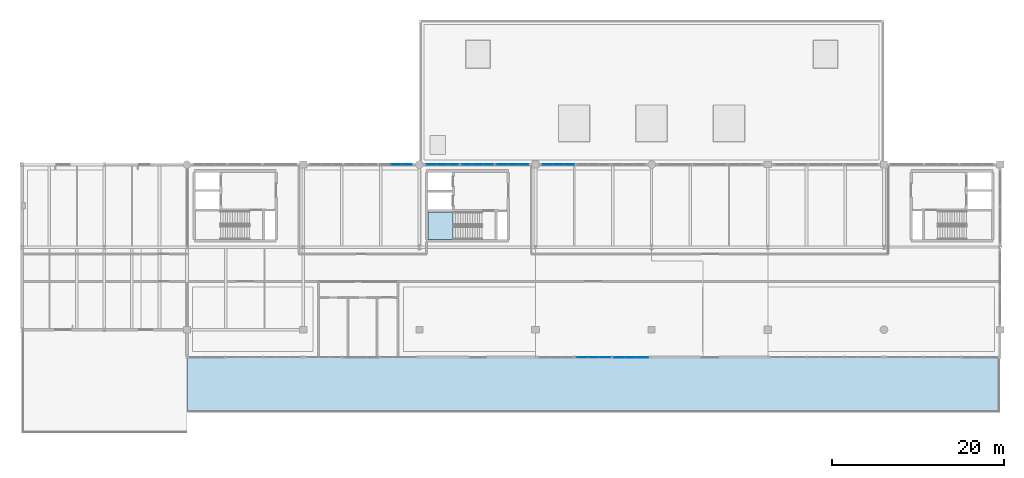
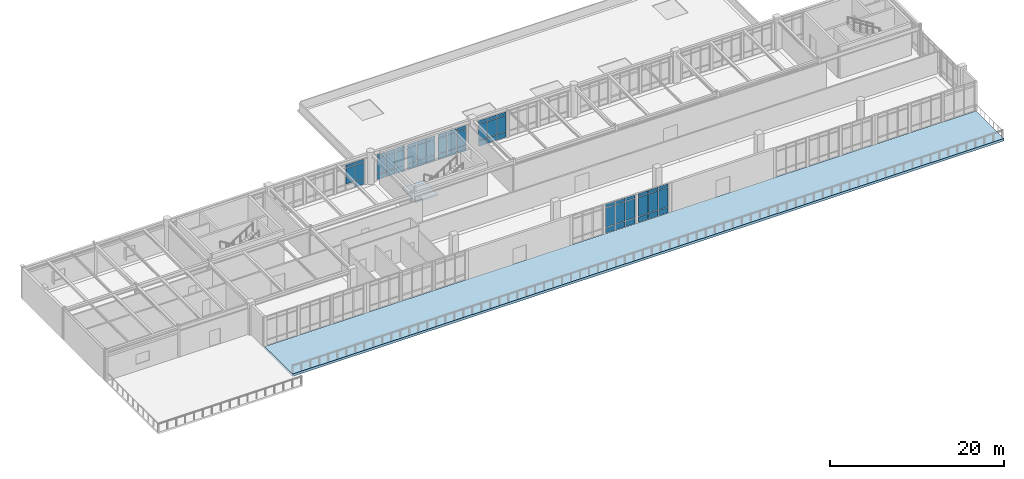
# One storey, part 42 of 55: 59 plates, 2 slabs, 8 elements without a shape of their own.
"""IFC4 building model written with IfcOpenShell, lengths in metres."""

import ifcopenshell
import ifcopenshell.guid

model = None  # the IFC model being written
_history = None  # IfcOwnerHistory: only IFC2X3 demands one
_inside = {}  # id of a spatial element -> (the spatial element, [elements in it])
_under = {}  # id of a project, library or spatial element -> (it, [spatial elements below it])
_declared = {}  # id of a project -> (the project, [libraries it declares])
_typed = {}  # id of a type object -> (the type object, [elements of that type])
_made_of = {}  # id of a material, layer set ... -> (it, [elements and type objects made of it])


def new_model(schema):
    """Start an empty IFC model of exactly this schema.

    Asked for "IFC4X3", IfcOpenShell would pick the latest addendum, in which some entities
    have other attributes; the version numbers below select the first issue.
    IFC2X3 requires an IfcOwnerHistory on every rooted entity: one is made here for all.
    """
    global model, _history
    if schema == "IFC4X3":
        model = ifcopenshell.file(schema_version=(4, 3, 0, 0))
    else:
        model = ifcopenshell.file(schema=schema)
    _inside.clear()
    _under.clear()
    _declared.clear()
    _typed.clear()
    _made_of.clear()
    _history = None
    if model.schema == "IFC2X3":
        org = make("IfcOrganization", Name="unknown")
        user = make(
            "IfcPersonAndOrganization",
            ThePerson=make("IfcPerson", FamilyName="unknown"),
            TheOrganization=org,
        )
        app = make(
            "IfcApplication",
            ApplicationDeveloper=org,
            Version="unknown",
            ApplicationFullName="unknown",
            ApplicationIdentifier="unknown",
        )
        _history = make(
            "IfcOwnerHistory",
            OwningUser=user,
            OwningApplication=app,
            ChangeAction="ADDED",
            CreationDate=0,
        )
    return model


def make(cls, **values):
    """One entity of the class cls with the attributes given. An attribute that is None is left unset."""
    return model.create_entity(
        cls, **{name: value for name, value in values.items() if value is not None}
    )


def rooted(cls, **values):
    """An entity with a GlobalId (a new one), such as an element, a storey or a relation."""
    return make(cls, GlobalId=ifcopenshell.guid.new(), OwnerHistory=_history, **values)


def si_unit(unit_type, name, prefix=None):
    """IfcSIUnit, for example si_unit("LENGTHUNIT", "METRE", prefix="MILLI")."""
    return make("IfcSIUnit", UnitType=unit_type, Prefix=prefix, Name=name)


def assignment(units):
    """IfcUnitAssignment: the units of a project."""
    return None if units is None else make("IfcUnitAssignment", Units=units)


def point(xyz):
    """IfcCartesianPoint."""
    return None if xyz is None else make("IfcCartesianPoint", Coordinates=xyz)


def direction(xyz):
    """IfcDirection."""
    return None if xyz is None else make("IfcDirection", DirectionRatios=xyz)


def frame(location, z_axis=None, x_axis=None):
    """IfcAxis2Placement3D, a coordinate frame: its origin and axes. An axis left out is left unset."""
    return make(
        "IfcAxis2Placement3D",
        Location=point(location),
        Axis=direction(z_axis),
        RefDirection=direction(x_axis),
    )


def frame_2d(location, x_axis=None):
    """IfcAxis2Placement2D, a coordinate frame in the plane: its origin and x axis."""
    return make(
        "IfcAxis2Placement2D", Location=point(location), RefDirection=direction(x_axis)
    )


def origin():
    """The frame at (0, 0, 0) with its axes left unset."""
    return frame((0.0, 0.0, 0.0))


def origin_2d():
    """The frame at (0, 0) in the plane with its x axis left unset."""
    return frame_2d((0.0, 0.0))


def place(relative_to, where):
    """IfcLocalPlacement: puts the frame where relative to a parent placement (None: the world)."""
    return make(
        "IfcLocalPlacement", PlacementRelTo=relative_to, RelativePlacement=where
    )


def context(
    kind, dimensions, precision=None, world=None, true_north=None, identifier=None
):
    """IfcGeometricRepresentationContext, for example the 3D "Model" context."""
    return make(
        "IfcGeometricRepresentationContext",
        ContextIdentifier=identifier,
        ContextType=kind,
        CoordinateSpaceDimension=dimensions,
        Precision=precision,
        WorldCoordinateSystem=world,
        TrueNorth=true_north,
    )


def subcontext(parent, identifier, kind, view, scale=None):
    """IfcGeometricRepresentationSubContext, for example "Body" below "Model"."""
    return make(
        "IfcGeometricRepresentationSubContext",
        ContextIdentifier=identifier,
        ContextType=kind,
        ParentContext=parent,
        TargetScale=scale,
        TargetView=view,
    )


def project(units=None, contexts=None):
    """IfcProject with its units and contexts."""
    return rooted(
        "IfcProject",
        Name="project",
        RepresentationContexts=contexts,
        UnitsInContext=assignment(units),
    )


def spatial(cls, under=None, at=None, **own):
    """A site, building, storey or space (cls), placed at a placement, below another one or the project."""
    s = rooted(cls, ObjectPlacement=at, **own)
    if under is not None:
        _under.setdefault(under.id(), (under, []))[1].append(s)
    return s


def polyline(points):
    """IfcPolyline through the points."""
    return make("IfcPolyline", Points=[point(p) for p in points])


def profile(cls, at=None, kind="AREA", **sizes):
    """A parametric profile (cls). Its sizes go by their IFC names, for example OverallWidth=200.0."""
    return make(cls, ProfileType=kind, Position=at, **sizes)


def rectangle(**sizes):
    """IfcRectangleProfileDef."""
    return profile("IfcRectangleProfileDef", **sizes)


def outline(outer, holes=None, kind="AREA"):
    """IfcArbitraryClosedProfileDef: a profile drawn as a closed curve; with holes, ...WithVoids."""
    if holes is None:
        return make("IfcArbitraryClosedProfileDef", ProfileType=kind, OuterCurve=outer)
    return make(
        "IfcArbitraryProfileDefWithVoids",
        ProfileType=kind,
        OuterCurve=outer,
        InnerCurves=holes,
    )


def extrude(swept, where, along, depth):
    """IfcExtrudedAreaSolid: the profile swept, set in the frame where, extruded along a direction by depth."""
    return make(
        "IfcExtrudedAreaSolid",
        SweptArea=swept,
        Position=where,
        ExtrudedDirection=direction(along),
        Depth=depth,
    )


def shape(context_of_items, identifier, shape_type, items):
    """IfcShapeRepresentation: the items that make up one representation, for example the "Body"."""
    return make(
        "IfcShapeRepresentation",
        ContextOfItems=context_of_items,
        RepresentationIdentifier=identifier,
        RepresentationType=shape_type,
        Items=items,
    )


def material(Name=None, Category=None):
    """IfcMaterial."""
    return make("IfcMaterial", Name=Name, Category=Category)


def layer(
    of_material, thickness, ventilated=None, Name=None, Category=None, Priority=None
):
    """IfcMaterialLayer: one layer of a wall or slab, of a material (None: an air gap)."""
    return make(
        "IfcMaterialLayer",
        Material=of_material,
        LayerThickness=thickness,
        IsVentilated=ventilated,
        Name=Name,
        Category=Category,
        Priority=Priority,
    )


def layer_set(layers, Name=None):
    """IfcMaterialLayerSet."""
    return make("IfcMaterialLayerSet", MaterialLayers=layers, LayerSetName=Name)


def made_of(thing, what):
    """Note that an element or type object is made of a material, layer set ...; save() writes the relation."""
    if what is not None:
        _made_of.setdefault(what.id(), (what, []))[1].append(thing)
    return thing


def type_object(cls, material=None, **own):
    """A type object (cls), such as IfcWallType, which elements share."""
    return made_of(rooted(cls, **own), material)


def element(
    cls,
    number,
    at=None,
    inside=None,
    cuts=None,
    type_object=None,
    material=None,
    context=None,
    identifier="Body",
    shape_type=None,
    held_by="IfcProductDefinitionShape",
    body=None,
    shapes=None,
    **own,
):
    """One element of the class cls, such as IfcWall. Its Tag is "e" and its number.

    at: its placement. inside: the storey or other place that contains it. cuts: it is an
    opening in that element (IfcRelVoidsElement). A single representation is given by context,
    identifier, shape_type and body (its items); several are given by shapes. held_by: the class
    of the entity that holds the representations. save() writes the other relations.
    """
    e = rooted(cls, Tag="e%d" % number, ObjectPlacement=at, **own)
    if body is not None:
        shapes = [shape(context, identifier, shape_type, body)]
    if shapes is not None:
        e.Representation = make(held_by, Representations=shapes)
    if inside is not None:
        _inside.setdefault(inside.id(), (inside, []))[1].append(e)
    if cuts is not None:
        rooted(
            "IfcRelVoidsElement", RelatingBuildingElement=cuts, RelatedOpeningElement=e
        )
    if type_object is not None:
        _typed.setdefault(type_object.id(), (type_object, []))[1].append(e)
    return made_of(e, material)


def aggregate(whole, parts):
    """IfcRelAggregates: a whole, such as a stair, and the parts it consists of."""
    return rooted("IfcRelAggregates", RelatingObject=whole, RelatedObjects=parts)


def save(model, path):
    """Write the relations noted so far, then the file.

    IfcRelAggregates (storeys below a building ...), IfcRelContainedInSpatialStructure (elements
    in a storey), IfcRelDefinesByType, IfcRelAssociatesMaterial and IfcRelDeclares: one each for
    every whole, place, type object, material and project.
    """
    for whole, parts in _under.values():
        aggregate(whole, parts)
    for where, things in _inside.values():
        rooted(
            "IfcRelContainedInSpatialStructure",
            RelatedElements=things,
            RelatingStructure=where,
        )
    for kind, things in _typed.values():
        rooted("IfcRelDefinesByType", RelatedObjects=things, RelatingType=kind)
    for what, things in _made_of.values():
        rooted("IfcRelAssociatesMaterial", RelatedObjects=things, RelatingMaterial=what)
    for by, libraries in _declared.values():
        rooted("IfcRelDeclares", RelatingContext=by, RelatedDefinitions=libraries)
    model.write(path)


model = new_model("IFC4")

# Units and contexts
model_context = context("Model", 3, precision=1e-05, world=origin(), true_north=direction((0.0, 1.0)))
body_context = subcontext(model_context, "Body", "Model", "MODEL_VIEW")
ifc_project = project(units=[si_unit("LENGTHUNIT", "METRE"), si_unit("AREAUNIT", "SQUARE_METRE"), si_unit("VOLUMEUNIT", "CUBIC_METRE"), si_unit("PLANEANGLEUNIT", "RADIAN"), si_unit("MASSUNIT", "GRAM", prefix="KILO")], contexts=[model_context])

# Site, building, storey
site_placement = place(None, origin())
site = spatial("IfcSite", under=ifc_project, at=site_placement, CompositionType="ELEMENT")
building_placement = place(site_placement, origin())
building = spatial("IfcBuilding", under=site, at=building_placement, Name="Fikremerkos Civic Library", CompositionType="ELEMENT")
storey_placement = place(building_placement, frame((0.0, 0.0, 18.89990234375)))
storey = spatial("IfcBuildingStorey", under=building, at=storey_placement, Name="L04", CompositionType="ELEMENT", Elevation=18.89990234375)

# Curtain wall, plates
ifc_material_1 = material(Name="Anodized aluminium Frame", Category="aluminium")
ifc_layer_1 = layer(ifc_material_1, 0.159912109375, Name="Anodized aluminium Frame")
ifc_layer_set_1 = layer_set([ifc_layer_1], Name="Anodized aluminium Frame")
curtain_wall_type_1 = type_object("IfcCurtainWallType", Name="Unitised curtain wall CW-05 3800x4100", PredefinedType="USERDEFINED", material=ifc_layer_set_1)
curtain_wall_1_placement = place(storey_placement, origin())
curtain_wall_1 = element("IfcCurtainWall", 1, at=curtain_wall_1_placement, inside=storey, type_object=curtain_wall_type_1, Name="Unitised curtain wall CW-05 L04 #221", ObjectType="UNITISED CURTAIN WALL", PredefinedType="USERDEFINED")
ifc_material_2 = material(Name="Solar control double glazing", Category="glass")
ifc_layer_2 = layer(ifc_material_2, 0.028076171875, Name="Solar control double glazing")
ifc_layer_set_2 = layer_set([ifc_layer_2], Name="Solar control double glazing")
plate_type_1 = type_object("IfcPlateType", Name="Curtain glazing panel CWP-01 28", PredefinedType="CURTAIN_PANEL", material=ifc_layer_set_2)
plate_1_placement = place(storey_placement, frame((67.788818359375, 8.800048828125, 0.06005859375), z_axis=(0.0, 0.0, 1.0), x_axis=(-1.0, 0.0, 0.0)))
plate_1 = element("IfcPlate", 2, at=plate_1_placement, type_object=plate_type_1, Name="CW-05 panel 1.1", PredefinedType="CURTAIN_PANEL", context=body_context, shape_type="SweptSolid", body=[
    extrude(rectangle(XDim=1.257568359375, YDim=0.028076171875, at=origin_2d()), origin(), (0.0, 0.0, 1.0), 0.760009765625),
])
plate_2_placement = place(storey_placement, frame((67.788818359375, 8.800048828125, 0.8798828125), z_axis=(0.0, 0.0, 1.0), x_axis=(-1.0, 0.0, 0.0)))
plate_2 = element("IfcPlate", 3, at=plate_2_placement, type_object=plate_type_1, Name="CW-05 panel 1.2", PredefinedType="CURTAIN_PANEL", context=body_context, shape_type="SweptSolid", body=[
    extrude(rectangle(XDim=1.257568359375, YDim=0.028076171875, at=origin_2d()), origin(), (0.0, 0.0, 1.0), 2.699951171875),
])
plate_3_placement = place(storey_placement, frame((67.788818359375, 8.800048828125, 3.64013671875), z_axis=(0.0, 0.0, 1.0), x_axis=(-1.0, 0.0, 0.0)))
plate_3 = element("IfcPlate", 4, at=plate_3_placement, type_object=plate_type_1, Name="CW-05 panel 1.3", PredefinedType="CURTAIN_PANEL", context=body_context, shape_type="SweptSolid", body=[
    extrude(rectangle(XDim=1.257568359375, YDim=0.028076171875, at=origin_2d()), origin(), (0.0, 0.0, 1.0), 0.4599609375),
])
plate_4_placement = place(storey_placement, frame((66.449951171875, 8.800048828125, 0.06005859375), z_axis=(0.0, 0.0, 1.0), x_axis=(-1.0, 0.0, 0.0)))
plate_4 = element("IfcPlate", 5, at=plate_4_placement, type_object=plate_type_1, Name="CW-05 panel 2.1", PredefinedType="CURTAIN_PANEL", context=body_context, shape_type="SweptSolid", body=[
    extrude(rectangle(XDim=1.2900390625, YDim=0.028076171875, at=origin_2d()), origin(), (0.0, 0.0, 1.0), 0.760009765625),
])
plate_5_placement = place(storey_placement, frame((66.449951171875, 8.800048828125, 0.8798828125), z_axis=(0.0, 0.0, 1.0), x_axis=(-1.0, 0.0, 0.0)))
plate_5 = element("IfcPlate", 6, at=plate_5_placement, type_object=plate_type_1, Name="CW-05 panel 2.2", PredefinedType="CURTAIN_PANEL", context=body_context, shape_type="SweptSolid", body=[
    extrude(rectangle(XDim=1.2900390625, YDim=0.028076171875, at=origin_2d()), origin(), (0.0, 0.0, 1.0), 2.699951171875),
])
plate_6_placement = place(storey_placement, frame((66.449951171875, 8.800048828125, 3.64013671875), z_axis=(0.0, 0.0, 1.0), x_axis=(-1.0, 0.0, 0.0)))
plate_6 = element("IfcPlate", 7, at=plate_6_placement, type_object=plate_type_1, Name="CW-05 panel 2.3", PredefinedType="CURTAIN_PANEL", context=body_context, shape_type="SweptSolid", body=[
    extrude(rectangle(XDim=1.2900390625, YDim=0.028076171875, at=origin_2d()), origin(), (0.0, 0.0, 1.0), 0.4599609375),
])
plate_7_placement = place(storey_placement, frame((65.111083984375, 8.800048828125, 0.06005859375), z_axis=(0.0, 0.0, 1.0), x_axis=(-1.0, 0.0, 0.0)))
plate_7 = element("IfcPlate", 8, at=plate_7_placement, type_object=plate_type_1, Name="CW-05 panel 3.1", PredefinedType="CURTAIN_PANEL", context=body_context, shape_type="SweptSolid", body=[
    extrude(rectangle(XDim=1.257568359375, YDim=0.028076171875, at=origin_2d()), origin(), (0.0, 0.0, 1.0), 0.760009765625),
])
plate_8_placement = place(storey_placement, frame((65.111083984375, 8.800048828125, 0.8798828125), z_axis=(0.0, 0.0, 1.0), x_axis=(-1.0, 0.0, 0.0)))
plate_8 = element("IfcPlate", 9, at=plate_8_placement, type_object=plate_type_1, Name="CW-05 panel 3.2", PredefinedType="CURTAIN_PANEL", context=body_context, shape_type="SweptSolid", body=[
    extrude(rectangle(XDim=1.257568359375, YDim=0.028076171875, at=origin_2d()), origin(), (0.0, 0.0, 1.0), 2.699951171875),
])
plate_9_placement = place(storey_placement, frame((65.111083984375, 8.800048828125, 3.64013671875), z_axis=(0.0, 0.0, 1.0), x_axis=(-1.0, 0.0, 0.0)))
plate_9 = element("IfcPlate", 10, at=plate_9_placement, type_object=plate_type_1, Name="CW-05 panel 3.3", PredefinedType="CURTAIN_PANEL", context=body_context, shape_type="SweptSolid", body=[
    extrude(rectangle(XDim=1.257568359375, YDim=0.028076171875, at=origin_2d()), origin(), (0.0, 0.0, 1.0), 0.4599609375),
])
aggregate(curtain_wall_1, [plate_1, plate_2, plate_3, plate_4, plate_5, plate_6, plate_7, plate_8, plate_9])

ifc_layer_3 = layer(ifc_material_1, 0.159912109375, Name="Anodized aluminium Frame")
ifc_layer_set_3 = layer_set([ifc_layer_3], Name="Anodized aluminium Frame")
curtain_wall_type_2 = type_object("IfcCurtainWallType", Name="Unitised curtain wall CW-01 3600x3600", PredefinedType="USERDEFINED", material=ifc_layer_set_3)
curtain_wall_2_placement = place(storey_placement, origin())
curtain_wall_2 = element("IfcCurtainWall", 11, at=curtain_wall_2_placement, inside=storey, type_object=curtain_wall_type_2, Name="Unitised curtain wall CW-01 L04 #235", ObjectType="UNITISED CURTAIN WALL", PredefinedType="USERDEFINED")
plate_10_placement = place(storey_placement, frame((47.6435546875, 31.199951171875, 0.070068359375), z_axis=(0.0, 0.0, 1.0), x_axis=(1.0, 0.0, 0.0)))
plate_10 = element("IfcPlate", 12, at=plate_10_placement, type_object=plate_type_1, Name="CW-01 panel 1.1", PredefinedType="CURTAIN_PANEL", context=body_context, shape_type="SweptSolid", body=[
    extrude(rectangle(XDim=1.161376953125, YDim=0.028076171875, at=origin_2d()), origin(), (0.0, 0.0, 1.0), 0.7451171875),
])
plate_11_placement = place(storey_placement, frame((47.6435546875, 31.199951171875, 0.88525390625), z_axis=(0.0, 0.0, 1.0), x_axis=(1.0, 0.0, 0.0)))
plate_11 = element("IfcPlate", 13, at=plate_11_placement, type_object=plate_type_1, Name="CW-01 panel 1.2", PredefinedType="CURTAIN_PANEL", context=body_context, shape_type="SweptSolid", body=[
    extrude(rectangle(XDim=1.161376953125, YDim=0.028076171875, at=origin_2d()), origin(), (0.0, 0.0, 1.0), 2.169921875),
])
plate_12_placement = place(storey_placement, frame((47.6435546875, 31.199951171875, 3.125), z_axis=(0.0, 0.0, 1.0), x_axis=(1.0, 0.0, 0.0)))
plate_12 = element("IfcPlate", 14, at=plate_12_placement, type_object=plate_type_1, Name="CW-01 panel 1.3", PredefinedType="CURTAIN_PANEL", context=body_context, shape_type="SweptSolid", body=[
    extrude(rectangle(XDim=1.161376953125, YDim=0.028076171875, at=origin_2d()), origin(), (0.0, 0.0, 1.0), 0.445068359375),
])
plate_13_placement = place(storey_placement, frame((48.88623046875, 31.199951171875, 0.070068359375), z_axis=(0.0, 0.0, 1.0), x_axis=(1.0, 0.0, 0.0)))
plate_13 = element("IfcPlate", 15, at=plate_13_placement, type_object=plate_type_1, Name="CW-01 panel 2.1", PredefinedType="CURTAIN_PANEL", context=body_context, shape_type="SweptSolid", body=[
    extrude(rectangle(XDim=1.19384765625, YDim=0.028076171875, at=origin_2d()), origin(), (0.0, 0.0, 1.0), 0.7451171875),
])
plate_14_placement = place(storey_placement, frame((48.88623046875, 31.199951171875, 0.88525390625), z_axis=(0.0, 0.0, 1.0), x_axis=(1.0, 0.0, 0.0)))
plate_14 = element("IfcPlate", 16, at=plate_14_placement, type_object=plate_type_1, Name="CW-01 panel 2.2", PredefinedType="CURTAIN_PANEL", context=body_context, shape_type="SweptSolid", body=[
    extrude(rectangle(XDim=1.19384765625, YDim=0.028076171875, at=origin_2d()), origin(), (0.0, 0.0, 1.0), 2.169921875),
])
plate_15_placement = place(storey_placement, frame((48.88623046875, 31.199951171875, 3.125), z_axis=(0.0, 0.0, 1.0), x_axis=(1.0, 0.0, 0.0)))
plate_15 = element("IfcPlate", 17, at=plate_15_placement, type_object=plate_type_1, Name="CW-01 panel 2.3", PredefinedType="CURTAIN_PANEL", context=body_context, shape_type="SweptSolid", body=[
    extrude(rectangle(XDim=1.19384765625, YDim=0.028076171875, at=origin_2d()), origin(), (0.0, 0.0, 1.0), 0.445068359375),
])
plate_16_placement = place(storey_placement, frame((50.128662109375, 31.199951171875, 0.070068359375), z_axis=(0.0, 0.0, 1.0), x_axis=(1.0, 0.0, 0.0)))
plate_16 = element("IfcPlate", 18, at=plate_16_placement, type_object=plate_type_1, Name="CW-01 panel 3.1", PredefinedType="CURTAIN_PANEL", context=body_context, shape_type="SweptSolid", body=[
    extrude(rectangle(XDim=1.161376953125, YDim=0.028076171875, at=origin_2d()), origin(), (0.0, 0.0, 1.0), 0.7451171875),
])
plate_17_placement = place(storey_placement, frame((50.128662109375, 31.199951171875, 0.88525390625), z_axis=(0.0, 0.0, 1.0), x_axis=(1.0, 0.0, 0.0)))
plate_17 = element("IfcPlate", 19, at=plate_17_placement, type_object=plate_type_1, Name="CW-01 panel 3.2", PredefinedType="CURTAIN_PANEL", context=body_context, shape_type="SweptSolid", body=[
    extrude(rectangle(XDim=1.161376953125, YDim=0.028076171875, at=origin_2d()), origin(), (0.0, 0.0, 1.0), 2.169921875),
])
plate_18_placement = place(storey_placement, frame((50.128662109375, 31.199951171875, 3.125), z_axis=(0.0, 0.0, 1.0), x_axis=(1.0, 0.0, 0.0)))
plate_18 = element("IfcPlate", 20, at=plate_18_placement, type_object=plate_type_1, Name="CW-01 panel 3.3", PredefinedType="CURTAIN_PANEL", context=body_context, shape_type="SweptSolid", body=[
    extrude(rectangle(XDim=1.161376953125, YDim=0.028076171875, at=origin_2d()), origin(), (0.0, 0.0, 1.0), 0.445068359375),
])
aggregate(curtain_wall_2, [plate_10, plate_11, plate_12, plate_13, plate_14, plate_15, plate_16, plate_17, plate_18])

ifc_layer_4 = layer(ifc_material_1, 0.159912109375, Name="Anodized aluminium Frame")
ifc_layer_set_4 = layer_set([ifc_layer_4], Name="Anodized aluminium Frame")
curtain_wall_type_3 = type_object("IfcCurtainWallType", Name="Unitised curtain wall CW-18 2700x3400", PredefinedType="USERDEFINED", material=ifc_layer_set_4)
curtain_wall_3_placement = place(storey_placement, origin())
curtain_wall_3 = element("IfcCurtainWall", 21, at=curtain_wall_3_placement, inside=storey, type_object=curtain_wall_type_3, Name="Unitised curtain wall CW-18 L04 #234", ObjectType="UNITISED CURTAIN WALL", PredefinedType="USERDEFINED")
ifc_layer_5 = layer(ifc_material_2, 0.035888671875, Name="Solar control double glazing")
ifc_layer_set_5 = layer_set([ifc_layer_5], Name="Solar control double glazing")
plate_type_2 = type_object("IfcPlateType", Name="Curtain glazing panel CWP-02 36", PredefinedType="CURTAIN_PANEL", material=ifc_layer_set_5)
plate_19_placement = place(storey_placement, frame((43.513916015625, 31.199951171875, 0.885009765625), z_axis=(0.0, 0.0, 1.0), x_axis=(1.0, 0.0, 0.0)))
plate_19 = element("IfcPlate", 22, at=plate_19_placement, type_object=plate_type_2, Name="CW-18 panel 2.2", PredefinedType="CURTAIN_PANEL", context=body_context, shape_type="SweptSolid", body=[
    extrude(rectangle(XDim=1.19873046875, YDim=0.035888671875, at=origin_2d()), origin(), (0.0, 0.0, 1.0), 2.2099609375),
])
plate_20_placement = place(storey_placement, frame((43.513916015625, 31.199951171875, 3.1650390625), z_axis=(0.0, 0.0, 1.0), x_axis=(1.0, 0.0, 0.0)))
plate_20 = element("IfcPlate", 23, at=plate_20_placement, type_object=plate_type_2, Name="CW-18 panel 2.3", PredefinedType="CURTAIN_PANEL", context=body_context, shape_type="SweptSolid", body=[
    extrude(rectangle(XDim=1.19873046875, YDim=0.035888671875, at=origin_2d()), origin(), (0.0, 0.0, 1.0), 0.445068359375),
])
plate_21_placement = place(storey_placement, frame((44.757568359375, 31.199951171875, 0.070068359375), z_axis=(0.0, 0.0, 1.0), x_axis=(1.0, 0.0, 0.0)))
plate_21 = element("IfcPlate", 24, at=plate_21_placement, type_object=plate_type_2, Name="CW-18 panel 3.1", PredefinedType="CURTAIN_PANEL", context=body_context, shape_type="SweptSolid", body=[
    extrude(rectangle(XDim=1.168701171875, YDim=0.035888671875, at=origin_2d()), origin(), (0.0, 0.0, 1.0), 0.7451171875),
])
plate_22_placement = place(storey_placement, frame((44.757568359375, 31.199951171875, 0.885009765625), z_axis=(0.0, 0.0, 1.0), x_axis=(1.0, 0.0, 0.0)))
plate_22 = element("IfcPlate", 25, at=plate_22_placement, type_object=plate_type_2, Name="CW-18 panel 3.2", PredefinedType="CURTAIN_PANEL", context=body_context, shape_type="SweptSolid", body=[
    extrude(rectangle(XDim=1.168701171875, YDim=0.035888671875, at=origin_2d()), origin(), (0.0, 0.0, 1.0), 2.2099609375),
])
plate_23_placement = place(storey_placement, frame((44.757568359375, 31.199951171875, 3.1650390625), z_axis=(0.0, 0.0, 1.0), x_axis=(1.0, 0.0, 0.0)))
plate_23 = element("IfcPlate", 26, at=plate_23_placement, type_object=plate_type_2, Name="CW-18 panel 3.3", PredefinedType="CURTAIN_PANEL", context=body_context, shape_type="SweptSolid", body=[
    extrude(rectangle(XDim=1.168701171875, YDim=0.035888671875, at=origin_2d()), origin(), (0.0, 0.0, 1.0), 0.445068359375),
])
aggregate(curtain_wall_3, [plate_19, plate_20, plate_21, plate_22, plate_23])

ifc_layer_6 = layer(ifc_material_1, 0.159912109375, Name="Anodized aluminium Frame")
ifc_layer_set_6 = layer_set([ifc_layer_6], Name="Anodized aluminium Frame")
curtain_wall_type_4 = type_object("IfcCurtainWallType", Name="Unitised curtain wall CW-02 3900x3600", PredefinedType="USERDEFINED", material=ifc_layer_set_6)
curtain_wall_4_placement = place(storey_placement, origin())
curtain_wall_4 = element("IfcCurtainWall", 27, at=curtain_wall_4_placement, inside=storey, type_object=curtain_wall_type_4, Name="Unitised curtain wall CW-02 L04 #236", ObjectType="UNITISED CURTAIN WALL", PredefinedType="USERDEFINED")
plate_24_placement = place(storey_placement, frame((51.71875, 31.199951171875, 0.070068359375), z_axis=(0.0, 0.0, 1.0), x_axis=(1.0, 0.0, 0.0)))
plate_24 = element("IfcPlate", 28, at=plate_24_placement, type_object=plate_type_2, Name="CW-02 panel 1.1", PredefinedType="CURTAIN_PANEL", context=body_context, shape_type="SweptSolid", body=[
    extrude(rectangle(XDim=1.168701171875, YDim=0.035888671875, at=origin_2d()), origin(), (0.0, 0.0, 1.0), 0.7451171875),
])
plate_25_placement = place(storey_placement, frame((51.71875, 31.199951171875, 0.88525390625), z_axis=(0.0, 0.0, 1.0), x_axis=(1.0, 0.0, 0.0)))
plate_25 = element("IfcPlate", 29, at=plate_25_placement, type_object=plate_type_2, Name="CW-02 panel 1.2", PredefinedType="CURTAIN_PANEL", context=body_context, shape_type="SweptSolid", body=[
    extrude(rectangle(XDim=1.168701171875, YDim=0.035888671875, at=origin_2d()), origin(), (0.0, 0.0, 1.0), 2.169921875),
])
plate_26_placement = place(storey_placement, frame((51.71875, 31.199951171875, 3.125), z_axis=(0.0, 0.0, 1.0), x_axis=(1.0, 0.0, 0.0)))
plate_26 = element("IfcPlate", 30, at=plate_26_placement, type_object=plate_type_2, Name="CW-02 panel 1.3", PredefinedType="CURTAIN_PANEL", context=body_context, shape_type="SweptSolid", body=[
    extrude(rectangle(XDim=1.168701171875, YDim=0.035888671875, at=origin_2d()), origin(), (0.0, 0.0, 1.0), 0.445068359375),
])
plate_27_placement = place(storey_placement, frame((52.96240234375, 31.199951171875, 0.070068359375), z_axis=(0.0, 0.0, 1.0), x_axis=(1.0, 0.0, 0.0)))
plate_27 = element("IfcPlate", 31, at=plate_27_placement, type_object=plate_type_2, Name="CW-02 panel 2.1", PredefinedType="CURTAIN_PANEL", context=body_context, shape_type="SweptSolid", body=[
    extrude(rectangle(XDim=1.19873046875, YDim=0.035888671875, at=origin_2d()), origin(), (0.0, 0.0, 1.0), 0.7451171875),
])
plate_28_placement = place(storey_placement, frame((52.96240234375, 31.199951171875, 0.88525390625), z_axis=(0.0, 0.0, 1.0), x_axis=(1.0, 0.0, 0.0)))
plate_28 = element("IfcPlate", 32, at=plate_28_placement, type_object=plate_type_2, Name="CW-02 panel 2.2", PredefinedType="CURTAIN_PANEL", context=body_context, shape_type="SweptSolid", body=[
    extrude(rectangle(XDim=1.19873046875, YDim=0.035888671875, at=origin_2d()), origin(), (0.0, 0.0, 1.0), 2.169921875),
])
plate_29_placement = place(storey_placement, frame((52.96240234375, 31.199951171875, 3.125), z_axis=(0.0, 0.0, 1.0), x_axis=(1.0, 0.0, 0.0)))
plate_29 = element("IfcPlate", 33, at=plate_29_placement, type_object=plate_type_2, Name="CW-02 panel 2.3", PredefinedType="CURTAIN_PANEL", context=body_context, shape_type="SweptSolid", body=[
    extrude(rectangle(XDim=1.19873046875, YDim=0.035888671875, at=origin_2d()), origin(), (0.0, 0.0, 1.0), 0.445068359375),
])
plate_30_placement = place(storey_placement, frame((54.206298828125, 31.199951171875, 0.070068359375), z_axis=(0.0, 0.0, 1.0), x_axis=(1.0, 0.0, 0.0)))
plate_30 = element("IfcPlate", 34, at=plate_30_placement, type_object=plate_type_2, Name="CW-02 panel 3.1", PredefinedType="CURTAIN_PANEL", context=body_context, shape_type="SweptSolid", body=[
    extrude(rectangle(XDim=1.168701171875, YDim=0.035888671875, at=origin_2d()), origin(), (0.0, 0.0, 1.0), 0.7451171875),
])
plate_31_placement = place(storey_placement, frame((54.206298828125, 31.199951171875, 0.88525390625), z_axis=(0.0, 0.0, 1.0), x_axis=(1.0, 0.0, 0.0)))
plate_31 = element("IfcPlate", 35, at=plate_31_placement, type_object=plate_type_2, Name="CW-02 panel 3.2", PredefinedType="CURTAIN_PANEL", context=body_context, shape_type="SweptSolid", body=[
    extrude(rectangle(XDim=1.168701171875, YDim=0.035888671875, at=origin_2d()), origin(), (0.0, 0.0, 1.0), 2.169921875),
])
plate_32_placement = place(storey_placement, frame((54.206298828125, 31.199951171875, 3.125), z_axis=(0.0, 0.0, 1.0), x_axis=(1.0, 0.0, 0.0)))
plate_32 = element("IfcPlate", 36, at=plate_32_placement, type_object=plate_type_2, Name="CW-02 panel 3.3", PredefinedType="CURTAIN_PANEL", context=body_context, shape_type="SweptSolid", body=[
    extrude(rectangle(XDim=1.168701171875, YDim=0.035888671875, at=origin_2d()), origin(), (0.0, 0.0, 1.0), 0.445068359375),
])
aggregate(curtain_wall_4, [plate_24, plate_25, plate_26, plate_27, plate_28, plate_29, plate_30, plate_31, plate_32])

ifc_layer_7 = layer(ifc_material_1, 0.159912109375, Name="Anodized aluminium Frame")
ifc_layer_set_7 = layer_set([ifc_layer_7], Name="Anodized aluminium Frame")
curtain_wall_type_5 = type_object("IfcCurtainWallType", Name="Unitised curtain wall CW-03 4100x3600", PredefinedType="USERDEFINED", material=ifc_layer_set_7)
curtain_wall_5_placement = place(storey_placement, origin())
curtain_wall_5 = element("IfcCurtainWall", 37, at=curtain_wall_5_placement, inside=storey, type_object=curtain_wall_type_5, Name="Unitised curtain wall CW-03 L04 #237", ObjectType="UNITISED CURTAIN WALL", PredefinedType="USERDEFINED")
ifc_material_3 = material(Name="Insulated aluminium spandrel", Category="aluminium")
ifc_layer_8 = layer(ifc_material_3, 0.044921875, Name="Insulated aluminium spandrel")
ifc_layer_set_8 = layer_set([ifc_layer_8], Name="Insulated aluminium spandrel")
plate_type_3 = type_object("IfcPlateType", Name="Curtain spandrel panel CSP-01 45", PredefinedType="CURTAIN_PANEL", material=ifc_layer_set_8)
plate_33_placement = place(storey_placement, frame((55.795166015625, 31.199951171875, 0.065185546875), z_axis=(0.0, 0.0, 1.0), x_axis=(1.0, 0.0, 0.0)))
plate_33 = element("IfcPlate", 38, at=plate_33_placement, type_object=plate_type_3, Name="CW-03 panel 1.1", PredefinedType="CURTAIN_PANEL", context=body_context, shape_type="SweptSolid", body=[
    extrude(rectangle(XDim=1.168701171875, YDim=0.044921875, at=origin_2d()), origin(), (0.0, 0.0, 1.0), 0.75244140625),
])
plate_34_placement = place(storey_placement, frame((55.795166015625, 31.199951171875, 0.8828125), z_axis=(0.0, 0.0, 1.0), x_axis=(1.0, 0.0, 0.0)))
plate_34 = element("IfcPlate", 39, at=plate_34_placement, type_object=plate_type_3, Name="CW-03 panel 1.2", PredefinedType="CURTAIN_PANEL", context=body_context, shape_type="SweptSolid", body=[
    extrude(rectangle(XDim=1.168701171875, YDim=0.044921875, at=origin_2d()), origin(), (0.0, 0.0, 1.0), 2.175048828125),
])
plate_35_placement = place(storey_placement, frame((55.795166015625, 31.199951171875, 3.12255859375), z_axis=(0.0, 0.0, 1.0), x_axis=(1.0, 0.0, 0.0)))
plate_35 = element("IfcPlate", 40, at=plate_35_placement, type_object=plate_type_3, Name="CW-03 panel 1.3", PredefinedType="CURTAIN_PANEL", context=body_context, shape_type="SweptSolid", body=[
    extrude(rectangle(XDim=1.168701171875, YDim=0.044921875, at=origin_2d()), origin(), (0.0, 0.0, 1.0), 0.452392578125),
])
plate_36_placement = place(storey_placement, frame((57.038818359375, 31.199951171875, 0.065185546875), z_axis=(0.0, 0.0, 1.0), x_axis=(1.0, 0.0, 0.0)))
plate_36 = element("IfcPlate", 41, at=plate_36_placement, type_object=plate_type_3, Name="CW-03 panel 2.1", PredefinedType="CURTAIN_PANEL", context=body_context, shape_type="SweptSolid", body=[
    extrude(rectangle(XDim=1.19873046875, YDim=0.044921875, at=origin_2d()), origin(), (0.0, 0.0, 1.0), 0.75244140625),
])
plate_37_placement = place(storey_placement, frame((57.038818359375, 31.199951171875, 0.8828125), z_axis=(0.0, 0.0, 1.0), x_axis=(1.0, 0.0, 0.0)))
plate_37 = element("IfcPlate", 42, at=plate_37_placement, type_object=plate_type_3, Name="CW-03 panel 2.2", PredefinedType="CURTAIN_PANEL", context=body_context, shape_type="SweptSolid", body=[
    extrude(rectangle(XDim=1.19873046875, YDim=0.044921875, at=origin_2d()), origin(), (0.0, 0.0, 1.0), 2.175048828125),
])
plate_38_placement = place(storey_placement, frame((57.038818359375, 31.199951171875, 3.12255859375), z_axis=(0.0, 0.0, 1.0), x_axis=(1.0, 0.0, 0.0)))
plate_38 = element("IfcPlate", 43, at=plate_38_placement, type_object=plate_type_3, Name="CW-03 panel 2.3", PredefinedType="CURTAIN_PANEL", context=body_context, shape_type="SweptSolid", body=[
    extrude(rectangle(XDim=1.19873046875, YDim=0.044921875, at=origin_2d()), origin(), (0.0, 0.0, 1.0), 0.452392578125),
])
plate_39_placement = place(storey_placement, frame((58.28271484375, 31.199951171875, 0.065185546875), z_axis=(0.0, 0.0, 1.0), x_axis=(1.0, 0.0, 0.0)))
plate_39 = element("IfcPlate", 44, at=plate_39_placement, type_object=plate_type_3, Name="CW-03 panel 3.1", PredefinedType="CURTAIN_PANEL", context=body_context, shape_type="SweptSolid", body=[
    extrude(rectangle(XDim=1.168701171875, YDim=0.044921875, at=origin_2d()), origin(), (0.0, 0.0, 1.0), 0.75244140625),
])
plate_40_placement = place(storey_placement, frame((58.28271484375, 31.199951171875, 0.8828125), z_axis=(0.0, 0.0, 1.0), x_axis=(1.0, 0.0, 0.0)))
plate_40 = element("IfcPlate", 45, at=plate_40_placement, type_object=plate_type_3, Name="CW-03 panel 3.2", PredefinedType="CURTAIN_PANEL", context=body_context, shape_type="SweptSolid", body=[
    extrude(rectangle(XDim=1.168701171875, YDim=0.044921875, at=origin_2d()), origin(), (0.0, 0.0, 1.0), 2.175048828125),
])
plate_41_placement = place(storey_placement, frame((58.28271484375, 31.199951171875, 3.12255859375), z_axis=(0.0, 0.0, 1.0), x_axis=(1.0, 0.0, 0.0)))
plate_41 = element("IfcPlate", 46, at=plate_41_placement, type_object=plate_type_3, Name="CW-03 panel 3.3", PredefinedType="CURTAIN_PANEL", context=body_context, shape_type="SweptSolid", body=[
    extrude(rectangle(XDim=1.168701171875, YDim=0.044921875, at=origin_2d()), origin(), (0.0, 0.0, 1.0), 0.452392578125),
])
aggregate(curtain_wall_5, [plate_33, plate_34, plate_35, plate_36, plate_37, plate_38, plate_39, plate_40, plate_41])

ifc_layer_9 = layer(ifc_material_1, 0.159912109375, Name="Anodized aluminium Frame")
ifc_layer_set_9 = layer_set([ifc_layer_9], Name="Anodized aluminium Frame")
curtain_wall_type_6 = type_object("IfcCurtainWallType", Name="Unitised curtain wall CW-04 3400x3600", PredefinedType="USERDEFINED", material=ifc_layer_set_9)
curtain_wall_6_placement = place(storey_placement, origin())
curtain_wall_6 = element("IfcCurtainWall", 47, at=curtain_wall_6_placement, inside=storey, type_object=curtain_wall_type_6, Name="Unitised curtain wall CW-04 L04 #220", ObjectType="UNITISED CURTAIN WALL", PredefinedType="USERDEFINED")
ifc_layer_10 = layer(ifc_material_3, 0.054931640625, Name="Insulated aluminium spandrel")
ifc_layer_set_10 = layer_set([ifc_layer_10], Name="Insulated aluminium spandrel")
plate_type_4 = type_object("IfcPlateType", Name="Curtain spandrel panel CSP-02 55", PredefinedType="CURTAIN_PANEL", material=ifc_layer_set_10)
plate_42_placement = place(storey_placement, frame((72.155517578125, 8.800048828125, 0.065185546875), z_axis=(0.0, 0.0, 1.0), x_axis=(-1.0, 0.0, 0.0)))
plate_42 = element("IfcPlate", 48, at=plate_42_placement, type_object=plate_type_4, Name="CW-04 panel 1.1", PredefinedType="CURTAIN_PANEL", context=body_context, shape_type="SweptSolid", body=[
    extrude(rectangle(XDim=1.26513671875, YDim=0.054931640625, at=origin_2d()), origin(), (0.0, 0.0, 1.0), 0.75244140625),
])
plate_43_placement = place(storey_placement, frame((72.155517578125, 8.800048828125, 0.88232421875), z_axis=(0.0, 0.0, 1.0), x_axis=(-1.0, 0.0, 0.0)))
plate_43 = element("IfcPlate", 49, at=plate_43_placement, type_object=plate_type_4, Name="CW-04 panel 1.2", PredefinedType="CURTAIN_PANEL", context=body_context, shape_type="SweptSolid", body=[
    extrude(rectangle(XDim=1.26513671875, YDim=0.054931640625, at=origin_2d()), origin(), (0.0, 0.0, 1.0), 2.695068359375),
])
plate_44_placement = place(storey_placement, frame((72.155517578125, 8.800048828125, 3.642578125), z_axis=(0.0, 0.0, 1.0), x_axis=(-1.0, 0.0, 0.0)))
plate_44 = element("IfcPlate", 50, at=plate_44_placement, type_object=plate_type_4, Name="CW-04 panel 1.3", PredefinedType="CURTAIN_PANEL", context=body_context, shape_type="SweptSolid", body=[
    extrude(rectangle(XDim=1.26513671875, YDim=0.054931640625, at=origin_2d()), origin(), (0.0, 0.0, 1.0), 0.452392578125),
])
plate_45_placement = place(storey_placement, frame((70.8154296875, 8.800048828125, 0.065185546875), z_axis=(0.0, 0.0, 1.0), x_axis=(-1.0, 0.0, 0.0)))
plate_45 = element("IfcPlate", 51, at=plate_45_placement, type_object=plate_type_4, Name="CW-04 panel 2.1", PredefinedType="CURTAIN_PANEL", context=body_context, shape_type="SweptSolid", body=[
    extrude(rectangle(XDim=1.295166015625, YDim=0.054931640625, at=origin_2d()), origin(), (0.0, 0.0, 1.0), 0.75244140625),
])
plate_46_placement = place(storey_placement, frame((70.8154296875, 8.800048828125, 0.88232421875), z_axis=(0.0, 0.0, 1.0), x_axis=(-1.0, 0.0, 0.0)))
plate_46 = element("IfcPlate", 52, at=plate_46_placement, type_object=plate_type_4, Name="CW-04 panel 2.2", PredefinedType="CURTAIN_PANEL", context=body_context, shape_type="SweptSolid", body=[
    extrude(rectangle(XDim=1.295166015625, YDim=0.054931640625, at=origin_2d()), origin(), (0.0, 0.0, 1.0), 2.695068359375),
])
plate_47_placement = place(storey_placement, frame((70.8154296875, 8.800048828125, 3.642578125), z_axis=(0.0, 0.0, 1.0), x_axis=(-1.0, 0.0, 0.0)))
plate_47 = element("IfcPlate", 53, at=plate_47_placement, type_object=plate_type_4, Name="CW-04 panel 2.3", PredefinedType="CURTAIN_PANEL", context=body_context, shape_type="SweptSolid", body=[
    extrude(rectangle(XDim=1.295166015625, YDim=0.054931640625, at=origin_2d()), origin(), (0.0, 0.0, 1.0), 0.452392578125),
])
plate_48_placement = place(storey_placement, frame((69.475341796875, 8.800048828125, 0.065185546875), z_axis=(0.0, 0.0, 1.0), x_axis=(-1.0, 0.0, 0.0)))
plate_48 = element("IfcPlate", 54, at=plate_48_placement, type_object=plate_type_4, Name="CW-04 panel 3.1", PredefinedType="CURTAIN_PANEL", context=body_context, shape_type="SweptSolid", body=[
    extrude(rectangle(XDim=1.26513671875, YDim=0.054931640625, at=origin_2d()), origin(), (0.0, 0.0, 1.0), 0.75244140625),
])
plate_49_placement = place(storey_placement, frame((69.475341796875, 8.800048828125, 0.88232421875), z_axis=(0.0, 0.0, 1.0), x_axis=(-1.0, 0.0, 0.0)))
plate_49 = element("IfcPlate", 55, at=plate_49_placement, type_object=plate_type_4, Name="CW-04 panel 3.2", PredefinedType="CURTAIN_PANEL", context=body_context, shape_type="SweptSolid", body=[
    extrude(rectangle(XDim=1.26513671875, YDim=0.054931640625, at=origin_2d()), origin(), (0.0, 0.0, 1.0), 2.695068359375),
])
plate_50_placement = place(storey_placement, frame((69.475341796875, 8.800048828125, 3.642578125), z_axis=(0.0, 0.0, 1.0), x_axis=(-1.0, 0.0, 0.0)))
plate_50 = element("IfcPlate", 56, at=plate_50_placement, type_object=plate_type_4, Name="CW-04 panel 3.3", PredefinedType="CURTAIN_PANEL", context=body_context, shape_type="SweptSolid", body=[
    extrude(rectangle(XDim=1.26513671875, YDim=0.054931640625, at=origin_2d()), origin(), (0.0, 0.0, 1.0), 0.452392578125),
])
aggregate(curtain_wall_6, [plate_42, plate_43, plate_44, plate_45, plate_46, plate_47, plate_48, plate_49, plate_50])

curtain_wall_7_placement = place(storey_placement, origin())
curtain_wall_7 = element("IfcCurtainWall", 57, at=curtain_wall_7_placement, inside=storey, type_object=curtain_wall_type_6, Name="Unitised curtain wall CW-04 L04 #238", ObjectType="UNITISED CURTAIN WALL", PredefinedType="USERDEFINED")
plate_51_placement = place(storey_placement, frame((61.117431640625, 31.199951171875, 0.065185546875), z_axis=(0.0, 0.0, 1.0), x_axis=(1.0, 0.0, 0.0)))
plate_51 = element("IfcPlate", 58, at=plate_51_placement, type_object=plate_type_4, Name="CW-04 panel 1.1", PredefinedType="CURTAIN_PANEL", context=body_context, shape_type="SweptSolid", body=[
    extrude(rectangle(XDim=1.168701171875, YDim=0.054931640625, at=origin_2d()), origin(), (0.0, 0.0, 1.0), 0.75244140625),
])
plate_52_placement = place(storey_placement, frame((61.117431640625, 31.199951171875, 0.882568359375), z_axis=(0.0, 0.0, 1.0), x_axis=(1.0, 0.0, 0.0)))
plate_52 = element("IfcPlate", 59, at=plate_52_placement, type_object=plate_type_4, Name="CW-04 panel 1.2", PredefinedType="CURTAIN_PANEL", context=body_context, shape_type="SweptSolid", body=[
    extrude(rectangle(XDim=1.168701171875, YDim=0.054931640625, at=origin_2d()), origin(), (0.0, 0.0, 1.0), 2.22509765625),
])
plate_53_placement = place(storey_placement, frame((61.117431640625, 31.199951171875, 3.1728515625), z_axis=(0.0, 0.0, 1.0), x_axis=(1.0, 0.0, 0.0)))
plate_53 = element("IfcPlate", 60, at=plate_53_placement, type_object=plate_type_4, Name="CW-04 panel 1.3", PredefinedType="CURTAIN_PANEL", context=body_context, shape_type="SweptSolid", body=[
    extrude(rectangle(XDim=1.168701171875, YDim=0.054931640625, at=origin_2d()), origin(), (0.0, 0.0, 1.0), 0.452392578125),
])
plate_54_placement = place(storey_placement, frame((62.361083984375, 31.199951171875, 0.065185546875), z_axis=(0.0, 0.0, 1.0), x_axis=(1.0, 0.0, 0.0)))
plate_54 = element("IfcPlate", 61, at=plate_54_placement, type_object=plate_type_4, Name="CW-04 panel 2.1", PredefinedType="CURTAIN_PANEL", context=body_context, shape_type="SweptSolid", body=[
    extrude(rectangle(XDim=1.19873046875, YDim=0.054931640625, at=origin_2d()), origin(), (0.0, 0.0, 1.0), 0.75244140625),
])
plate_55_placement = place(storey_placement, frame((62.361083984375, 31.199951171875, 0.882568359375), z_axis=(0.0, 0.0, 1.0), x_axis=(1.0, 0.0, 0.0)))
plate_55 = element("IfcPlate", 62, at=plate_55_placement, type_object=plate_type_4, Name="CW-04 panel 2.2", PredefinedType="CURTAIN_PANEL", context=body_context, shape_type="SweptSolid", body=[
    extrude(rectangle(XDim=1.19873046875, YDim=0.054931640625, at=origin_2d()), origin(), (0.0, 0.0, 1.0), 2.22509765625),
])
plate_56_placement = place(storey_placement, frame((62.361083984375, 31.199951171875, 3.1728515625), z_axis=(0.0, 0.0, 1.0), x_axis=(1.0, 0.0, 0.0)))
plate_56 = element("IfcPlate", 63, at=plate_56_placement, type_object=plate_type_4, Name="CW-04 panel 2.3", PredefinedType="CURTAIN_PANEL", context=body_context, shape_type="SweptSolid", body=[
    extrude(rectangle(XDim=1.19873046875, YDim=0.054931640625, at=origin_2d()), origin(), (0.0, 0.0, 1.0), 0.452392578125),
])
plate_57_placement = place(storey_placement, frame((63.60498046875, 31.199951171875, 0.065185546875), z_axis=(0.0, 0.0, 1.0), x_axis=(1.0, 0.0, 0.0)))
plate_57 = element("IfcPlate", 64, at=plate_57_placement, type_object=plate_type_4, Name="CW-04 panel 3.1", PredefinedType="CURTAIN_PANEL", context=body_context, shape_type="SweptSolid", body=[
    extrude(rectangle(XDim=1.168701171875, YDim=0.054931640625, at=origin_2d()), origin(), (0.0, 0.0, 1.0), 0.75244140625),
])
plate_58_placement = place(storey_placement, frame((63.60498046875, 31.199951171875, 0.882568359375), z_axis=(0.0, 0.0, 1.0), x_axis=(1.0, 0.0, 0.0)))
plate_58 = element("IfcPlate", 65, at=plate_58_placement, type_object=plate_type_4, Name="CW-04 panel 3.2", PredefinedType="CURTAIN_PANEL", context=body_context, shape_type="SweptSolid", body=[
    extrude(rectangle(XDim=1.168701171875, YDim=0.054931640625, at=origin_2d()), origin(), (0.0, 0.0, 1.0), 2.22509765625),
])
plate_59_placement = place(storey_placement, frame((63.60498046875, 31.199951171875, 3.1728515625), z_axis=(0.0, 0.0, 1.0), x_axis=(1.0, 0.0, 0.0)))
plate_59 = element("IfcPlate", 66, at=plate_59_placement, type_object=plate_type_4, Name="CW-04 panel 3.3", PredefinedType="CURTAIN_PANEL", context=body_context, shape_type="SweptSolid", body=[
    extrude(rectangle(XDim=1.168701171875, YDim=0.054931640625, at=origin_2d()), origin(), (0.0, 0.0, 1.0), 0.452392578125),
])
aggregate(curtain_wall_7, [plate_51, plate_52, plate_53, plate_54, plate_55, plate_56, plate_57, plate_58, plate_59])

# Slab
ifc_material_4 = material(Name="Concrete C40/50", Category="concrete")
ifc_layer_11 = layer(ifc_material_4, 0.340087890625, Name="Concrete C40/50")
ifc_layer_set_11 = layer_set([ifc_layer_11], Name="Concrete C40/50")
slab_type_1 = type_object("IfcSlabType", Name="External terrace slab ETS-04 340", PredefinedType="FLOOR", material=ifc_layer_set_11)
slab_1_placement = place(storey_placement, frame((0.0, 0.0, -0.33984375)))
element("IfcSlab", 67, at=slab_1_placement, inside=storey, type_object=slab_type_1, Name="Reading terrace slab ETS-04 L04-TERR-SOUTH", PredefinedType="FLOOR", context=body_context, shape_type="SweptSolid", body=[
    extrude(outline(polyline([(19.199951171875, 2.39990234375), (113.699951171875, 2.39990234375), (113.699951171875, 8.800048828125), (19.199951171875, 8.800048828125), (19.199951171875, 2.39990234375)])), origin(), (0.0, 0.0, 1.0), 0.33984375),
])

# Stair, slab
stair_type = type_object("IfcStairType", Name="Half turn stair ST-HT-06 W1500 H4500", PredefinedType="HALF_TURN_STAIR", material=ifc_material_4)
stair_placement = place(storey_placement, origin())
stair = element("IfcStair", 68, at=stair_placement, inside=storey, type_object=stair_type, Name="L04 ST-K3", PredefinedType="HALF_TURN_STAIR")
ifc_layer_12 = layer(ifc_material_4, 0.199951171875, Name="Concrete C40/50")
ifc_layer_set_12 = layer_set([ifc_layer_12], Name="Concrete C40/50")
slab_type_2 = type_object("IfcSlabType", Name="Stair landing slab SLS-01 200", PredefinedType="LANDING", material=ifc_layer_set_12)
slab_2_placement = place(storey_placement, frame((0.0, 0.0, 2.050048828125)))
slab_2 = element("IfcSlab", 69, at=slab_2_placement, type_object=slab_type_2, Name="ST-K3 landing 1", PredefinedType="LANDING", context=body_context, shape_type="SweptSolid", body=[
    extrude(outline(polyline([(50.139892578125, 25.699951171875), (47.199951171875, 25.699951171875), (47.199951171875, 22.5), (50.139892578125, 22.5), (50.139892578125, 25.699951171875)])), origin(), (0.0, 0.0, 1.0), 0.199951171875),
])
aggregate(stair, [slab_2])

save(model, "model.ifc")
